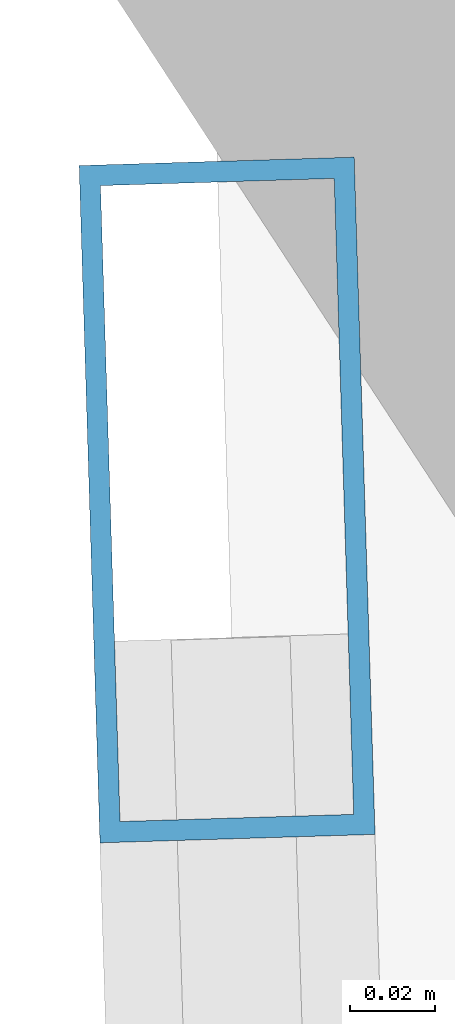
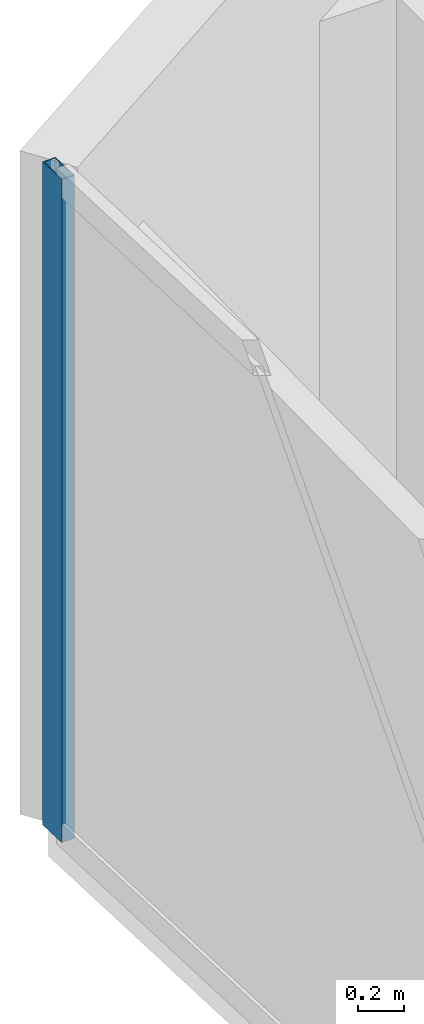
# One storey, part 11 of 23: 1 member, 1 element without a shape of its own.
"""IFC4 building model written with IfcOpenShell, lengths in metres."""

import ifcopenshell
import ifcopenshell.guid

model = None  # the IFC model being written
_history = None  # IfcOwnerHistory: only IFC2X3 demands one
_inside = {}  # id of a spatial element -> (the spatial element, [elements in it])
_under = {}  # id of a project, library or spatial element -> (it, [spatial elements below it])
_declared = {}  # id of a project -> (the project, [libraries it declares])
_typed = {}  # id of a type object -> (the type object, [elements of that type])
_made_of = {}  # id of a material, layer set ... -> (it, [elements and type objects made of it])


def new_model(schema):
    """Start an empty IFC model of exactly this schema.

    Asked for "IFC4X3", IfcOpenShell would pick the latest addendum, in which some entities
    have other attributes; the version numbers below select the first issue.
    IFC2X3 requires an IfcOwnerHistory on every rooted entity: one is made here for all.
    """
    global model, _history
    if schema == "IFC4X3":
        model = ifcopenshell.file(schema_version=(4, 3, 0, 0))
    else:
        model = ifcopenshell.file(schema=schema)
    _inside.clear()
    _under.clear()
    _declared.clear()
    _typed.clear()
    _made_of.clear()
    _history = None
    if model.schema == "IFC2X3":
        org = make("IfcOrganization", Name="unknown")
        user = make(
            "IfcPersonAndOrganization",
            ThePerson=make("IfcPerson", FamilyName="unknown"),
            TheOrganization=org,
        )
        app = make(
            "IfcApplication",
            ApplicationDeveloper=org,
            Version="unknown",
            ApplicationFullName="unknown",
            ApplicationIdentifier="unknown",
        )
        _history = make(
            "IfcOwnerHistory",
            OwningUser=user,
            OwningApplication=app,
            ChangeAction="ADDED",
            CreationDate=0,
        )
    return model


def make(cls, **values):
    """One entity of the class cls with the attributes given. An attribute that is None is left unset."""
    return model.create_entity(
        cls, **{name: value for name, value in values.items() if value is not None}
    )


def rooted(cls, **values):
    """An entity with a GlobalId (a new one), such as an element, a storey or a relation."""
    return make(cls, GlobalId=ifcopenshell.guid.new(), OwnerHistory=_history, **values)


def si_unit(unit_type, name, prefix=None):
    """IfcSIUnit, for example si_unit("LENGTHUNIT", "METRE", prefix="MILLI")."""
    return make("IfcSIUnit", UnitType=unit_type, Prefix=prefix, Name=name)


def assignment(units):
    """IfcUnitAssignment: the units of a project."""
    return None if units is None else make("IfcUnitAssignment", Units=units)


def point(xyz):
    """IfcCartesianPoint."""
    return None if xyz is None else make("IfcCartesianPoint", Coordinates=xyz)


def direction(xyz):
    """IfcDirection."""
    return None if xyz is None else make("IfcDirection", DirectionRatios=xyz)


def frame(location, z_axis=None, x_axis=None):
    """IfcAxis2Placement3D, a coordinate frame: its origin and axes. An axis left out is left unset."""
    return make(
        "IfcAxis2Placement3D",
        Location=point(location),
        Axis=direction(z_axis),
        RefDirection=direction(x_axis),
    )


def frame_2d(location, x_axis=None):
    """IfcAxis2Placement2D, a coordinate frame in the plane: its origin and x axis."""
    return make(
        "IfcAxis2Placement2D", Location=point(location), RefDirection=direction(x_axis)
    )


def origin():
    """The frame at (0, 0, 0) with its axes left unset."""
    return frame((0.0, 0.0, 0.0))


def origin_2d():
    """The frame at (0, 0) in the plane with its x axis left unset."""
    return frame_2d((0.0, 0.0))


def place(relative_to, where):
    """IfcLocalPlacement: puts the frame where relative to a parent placement (None: the world)."""
    return make(
        "IfcLocalPlacement", PlacementRelTo=relative_to, RelativePlacement=where
    )


def context(
    kind, dimensions, precision=None, world=None, true_north=None, identifier=None
):
    """IfcGeometricRepresentationContext, for example the 3D "Model" context."""
    return make(
        "IfcGeometricRepresentationContext",
        ContextIdentifier=identifier,
        ContextType=kind,
        CoordinateSpaceDimension=dimensions,
        Precision=precision,
        WorldCoordinateSystem=world,
        TrueNorth=true_north,
    )


def subcontext(parent, identifier, kind, view, scale=None):
    """IfcGeometricRepresentationSubContext, for example "Body" below "Model"."""
    return make(
        "IfcGeometricRepresentationSubContext",
        ContextIdentifier=identifier,
        ContextType=kind,
        ParentContext=parent,
        TargetScale=scale,
        TargetView=view,
    )


def project(units=None, contexts=None):
    """IfcProject with its units and contexts."""
    return rooted(
        "IfcProject",
        Name="project",
        RepresentationContexts=contexts,
        UnitsInContext=assignment(units),
    )


def spatial(cls, under=None, at=None, **own):
    """A site, building, storey or space (cls), placed at a placement, below another one or the project."""
    s = rooted(cls, ObjectPlacement=at, **own)
    if under is not None:
        _under.setdefault(under.id(), (under, []))[1].append(s)
    return s


def profile(cls, at=None, kind="AREA", **sizes):
    """A parametric profile (cls). Its sizes go by their IFC names, for example OverallWidth=200.0."""
    return make(cls, ProfileType=kind, Position=at, **sizes)


def hollow_rectangle(**sizes):
    """IfcRectangleHollowProfileDef."""
    return profile("IfcRectangleHollowProfileDef", **sizes)


def extrude(swept, where, along, depth):
    """IfcExtrudedAreaSolid: the profile swept, set in the frame where, extruded along a direction by depth."""
    return make(
        "IfcExtrudedAreaSolid",
        SweptArea=swept,
        Position=where,
        ExtrudedDirection=direction(along),
        Depth=depth,
    )


def shape(context_of_items, identifier, shape_type, items):
    """IfcShapeRepresentation: the items that make up one representation, for example the "Body"."""
    return make(
        "IfcShapeRepresentation",
        ContextOfItems=context_of_items,
        RepresentationIdentifier=identifier,
        RepresentationType=shape_type,
        Items=items,
    )


def material(Name=None, Category=None):
    """IfcMaterial."""
    return make("IfcMaterial", Name=Name, Category=Category)


def layer(
    of_material, thickness, ventilated=None, Name=None, Category=None, Priority=None
):
    """IfcMaterialLayer: one layer of a wall or slab, of a material (None: an air gap)."""
    return make(
        "IfcMaterialLayer",
        Material=of_material,
        LayerThickness=thickness,
        IsVentilated=ventilated,
        Name=Name,
        Category=Category,
        Priority=Priority,
    )


def layer_set(layers, Name=None):
    """IfcMaterialLayerSet."""
    return make("IfcMaterialLayerSet", MaterialLayers=layers, LayerSetName=Name)


def material_profile(
    of_material, cross_section, Name=None, Category=None, Priority=None
):
    """IfcMaterialProfile: a cross section and its material."""
    return make(
        "IfcMaterialProfile",
        Name=Name,
        Material=of_material,
        Profile=cross_section,
        Priority=Priority,
        Category=Category,
    )


def profile_set(profiles, Name=None, composite=None):
    """IfcMaterialProfileSet."""
    return make(
        "IfcMaterialProfileSet",
        Name=Name,
        MaterialProfiles=profiles,
        CompositeProfile=composite,
    )


def made_of(thing, what):
    """Note that an element or type object is made of a material, layer set ...; save() writes the relation."""
    if what is not None:
        _made_of.setdefault(what.id(), (what, []))[1].append(thing)
    return thing


def type_object(cls, material=None, **own):
    """A type object (cls), such as IfcWallType, which elements share."""
    return made_of(rooted(cls, **own), material)


def element(
    cls,
    number,
    at=None,
    inside=None,
    cuts=None,
    type_object=None,
    material=None,
    context=None,
    identifier="Body",
    shape_type=None,
    held_by="IfcProductDefinitionShape",
    body=None,
    shapes=None,
    **own,
):
    """One element of the class cls, such as IfcWall. Its Tag is "e" and its number.

    at: its placement. inside: the storey or other place that contains it. cuts: it is an
    opening in that element (IfcRelVoidsElement). A single representation is given by context,
    identifier, shape_type and body (its items); several are given by shapes. held_by: the class
    of the entity that holds the representations. save() writes the other relations.
    """
    e = rooted(cls, Tag="e%d" % number, ObjectPlacement=at, **own)
    if body is not None:
        shapes = [shape(context, identifier, shape_type, body)]
    if shapes is not None:
        e.Representation = make(held_by, Representations=shapes)
    if inside is not None:
        _inside.setdefault(inside.id(), (inside, []))[1].append(e)
    if cuts is not None:
        rooted(
            "IfcRelVoidsElement", RelatingBuildingElement=cuts, RelatedOpeningElement=e
        )
    if type_object is not None:
        _typed.setdefault(type_object.id(), (type_object, []))[1].append(e)
    return made_of(e, material)


def aggregate(whole, parts):
    """IfcRelAggregates: a whole, such as a stair, and the parts it consists of."""
    return rooted("IfcRelAggregates", RelatingObject=whole, RelatedObjects=parts)


def save(model, path):
    """Write the relations noted so far, then the file.

    IfcRelAggregates (storeys below a building ...), IfcRelContainedInSpatialStructure (elements
    in a storey), IfcRelDefinesByType, IfcRelAssociatesMaterial and IfcRelDeclares: one each for
    every whole, place, type object, material and project.
    """
    for whole, parts in _under.values():
        aggregate(whole, parts)
    for where, things in _inside.values():
        rooted(
            "IfcRelContainedInSpatialStructure",
            RelatedElements=things,
            RelatingStructure=where,
        )
    for kind, things in _typed.values():
        rooted("IfcRelDefinesByType", RelatedObjects=things, RelatingType=kind)
    for what, things in _made_of.values():
        rooted("IfcRelAssociatesMaterial", RelatedObjects=things, RelatingMaterial=what)
    for by, libraries in _declared.values():
        rooted("IfcRelDeclares", RelatingContext=by, RelatedDefinitions=libraries)
    model.write(path)


model = new_model("IFC4")

# Units and contexts
model_context = context("Model", 3, precision=1e-05, world=origin(), true_north=direction((0.0, 1.0)))
body_context = subcontext(model_context, "Body", "Model", "MODEL_VIEW")
ifc_project = project(units=[si_unit("LENGTHUNIT", "METRE"), si_unit("AREAUNIT", "SQUARE_METRE"), si_unit("VOLUMEUNIT", "CUBIC_METRE"), si_unit("PLANEANGLEUNIT", "RADIAN"), si_unit("MASSUNIT", "GRAM", prefix="KILO")], contexts=[model_context])

# Site, building, storey
site_placement = place(None, origin())
site = spatial("IfcSite", under=ifc_project, at=site_placement, CompositionType="ELEMENT")
building_placement = place(site_placement, origin())
building = spatial("IfcBuilding", under=site, at=building_placement, Name="Qianvela Tower", CompositionType="ELEMENT")
storey_placement = place(building_placement, frame((0.0, 0.0, 162.39990234375)))
storey = spatial("IfcBuildingStorey", under=building, at=storey_placement, Name="L41", CompositionType="ELEMENT", Elevation=162.39990234375)

# Curtain wall, member
ifc_material_1 = material(Name="Anodised Architectural Aluminium and Low-E Glass", Category="aluminium")
ifc_layer = layer(ifc_material_1, 0.169921875)
ifc_layer_set = layer_set([ifc_layer], Name="Anodised Architectural Aluminium and Low-E Glass")
curtain_wall_type = type_object("IfcCurtainWallType", Name="CW-COLIV-Z34", PredefinedType="USERDEFINED", material=ifc_layer_set)
curtain_wall_placement = place(storey_placement, origin())
curtain_wall = element("IfcCurtainWall", 1, at=curtain_wall_placement, inside=storey, type_object=curtain_wall_type, Name="L41 CW-COLIV-Z34 Curtain Wall 04A", ObjectType="CURTAIN_WALL_SYSTEM", PredefinedType="USERDEFINED")
ifc_material_2 = material(Name="Anodised Architectural Aluminium 6063-T6", Category="aluminium")
ifc_material_profile = material_profile(ifc_material_2, hollow_rectangle(XDim=0.06494140625, YDim=0.159912109375, WallThickness=0.0048828125, at=origin_2d()), Name="ALU-MULL-65x160")
ifc_profile_set = profile_set([ifc_material_profile], Name="Anodised Architectural Aluminium 6063-T6")
member_type = type_object("IfcMemberType", Name="CW-COLIV-Z34-MULL", PredefinedType="MULLION", material=ifc_profile_set)
member_placement = place(storey_placement, frame((21.29345703125, 37.888916015625, 0.0), z_axis=(0.0, 0.0, 1.0), x_axis=(0.999528030233, 0.030719973602, 0.0)))
member = element("IfcMember", 2, at=member_placement, type_object=member_type, Name="CW-4 mullion 1", PredefinedType="MULLION", context=body_context, shape_type="SweptSolid", body=[
    extrude(hollow_rectangle(XDim=0.06494140625, YDim=0.159912109375, WallThickness=0.0048828125, at=origin_2d()), origin(), (0.0, 0.0, 1.0), 3.52001953125),
])
aggregate(curtain_wall, [member])

save(model, "model.ifc")
